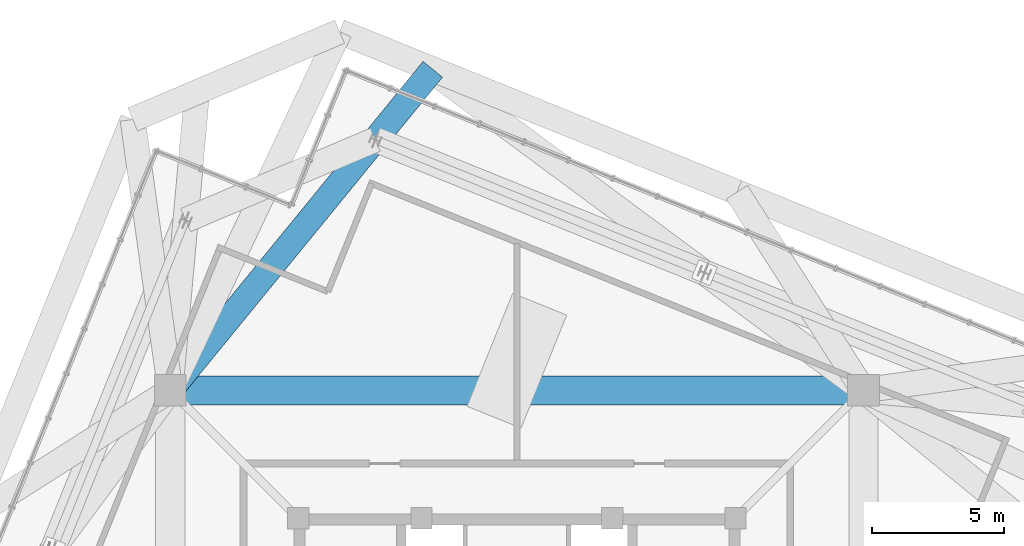
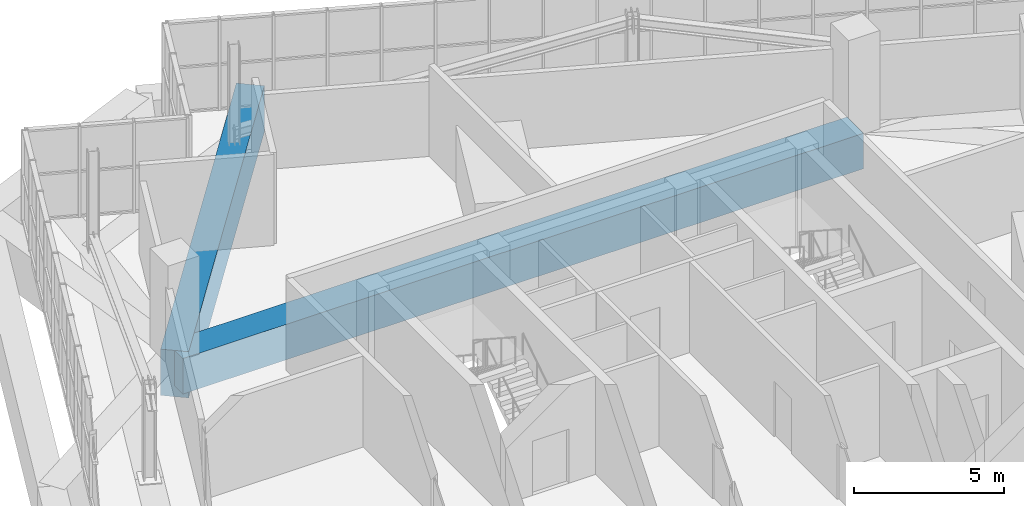
# One storey, part 20 of 35: 2 beams.
"""IFC4 building model written with IfcOpenShell, lengths in metres."""

from ifc_helpers import new_model, si_unit, direction, frame, origin, origin_2d, place, context, subcontext, project, spatial, rectangle, extrude, source, transform, mapped, material, material_profile, profile_set, type_object, element, save


model = new_model("IFC4")

# Units and contexts
model_context = context("Model", 3, precision=1e-05, world=origin(), true_north=direction((0.0, 1.0)))
body_context = subcontext(model_context, "Body", "Model", "MODEL_VIEW")
ifc_project = project(units=[si_unit("LENGTHUNIT", "METRE"), si_unit("AREAUNIT", "SQUARE_METRE"), si_unit("VOLUMEUNIT", "CUBIC_METRE"), si_unit("PLANEANGLEUNIT", "RADIAN"), si_unit("MASSUNIT", "GRAM", prefix="KILO"), si_unit("THERMODYNAMICTEMPERATUREUNIT", "KELVIN")], contexts=[model_context])

# Site, building, storey
site_placement = place(None, origin())
site = spatial("IfcSite", under=ifc_project, at=site_placement, CompositionType="ELEMENT")
building_placement = place(site_placement, origin())
building = spatial("IfcBuilding", under=site, at=building_placement, Name="Kosmvard Interchange Tower", CompositionType="ELEMENT")
storey_placement = place(building_placement, frame((0.0, 0.0, 321.60009765625)))
storey = spatial("IfcBuildingStorey", under=building, at=storey_placement, Name="L79", CompositionType="ELEMENT", Elevation=321.60009765625)

# Beams
ifc_material_1 = material(Name="Concrete C70/85", Category="concrete")
ifc_material_profile_1 = material_profile(ifc_material_1, rectangle(XDim=1.10009765625, YDim=1.43994140625, at=origin_2d()), Name="TG 1100x1440")
ifc_profile_set_1 = profile_set([ifc_material_profile_1], Name="Concrete C70/85")
beam_type_1 = type_object("IfcBeamType", Name="Mega-Frame Transfer Ring Girder 1100x1440 C70/85", PredefinedType="USERDEFINED", material=ifc_profile_set_1)
shared_shape_1 = source(origin(), body_context, "Body", "SweptSolid", [
    extrude(rectangle(XDim=1.10009765625, YDim=1.43994140625, at=origin_2d()), origin(), (0.0, 0.0, 1.0), 26.162109375),
])
beam_1_placement = place(storey_placement, frame((13.0810546875, 13.0810546875, -0.72021484375), z_axis=(-1.0, 0.0, 0.0), x_axis=(0.0, -1.0, 0.0)))
element("IfcBeam", 1, at=beam_1_placement, inside=storey, type_object=beam_type_1, Name="L79 Mega-Column Ring Girder 3", ObjectType="TRANSFER_GIRDER", PredefinedType="USERDEFINED", context=body_context, shape_type="MappedRepresentation", body=[
    mapped(shared_shape_1, transform((0.0, 0.0, 0.0), scale=1.0)),
])
ifc_material_2 = material(Name="Concrete C60/75", Category="concrete")
ifc_material_profile_2 = material_profile(ifc_material_2, rectangle(XDim=0.949951171875, YDim=1.8798828125, at=origin_2d()), Name="TG 950x1880")
ifc_profile_set_2 = profile_set([ifc_material_profile_2], Name="Concrete C60/75")
beam_type_2 = type_object("IfcBeamType", Name="Upper Long-Span Transfer Girder 950x1880 C60/75", PredefinedType="USERDEFINED", material=ifc_profile_set_2)
shared_shape_2 = source(origin(), body_context, "Body", "SweptSolid", [
    extrude(rectangle(XDim=0.949951171875, YDim=1.8798828125, at=origin_2d()), origin(), (0.0, 0.0, 1.0), 15.652587890625),
])
beam_2_placement = place(storey_placement, frame((-13.0810546875, 13.0810546875, -0.940185546875), z_axis=(0.632979546163, 0.774168517921, 0.0), x_axis=(-0.774168517921, 0.632979546163, 0.0)))
element("IfcBeam", 2, at=beam_2_placement, inside=storey, type_object=beam_type_2, Name="BM-L79-RD06", ObjectType="TRANSFER_GIRDER", PredefinedType="USERDEFINED", context=body_context, shape_type="MappedRepresentation", body=[
    mapped(shared_shape_2, transform((0.0, 0.0, 0.0), scale=1.0)),
])

save(model, "model.ifc")
